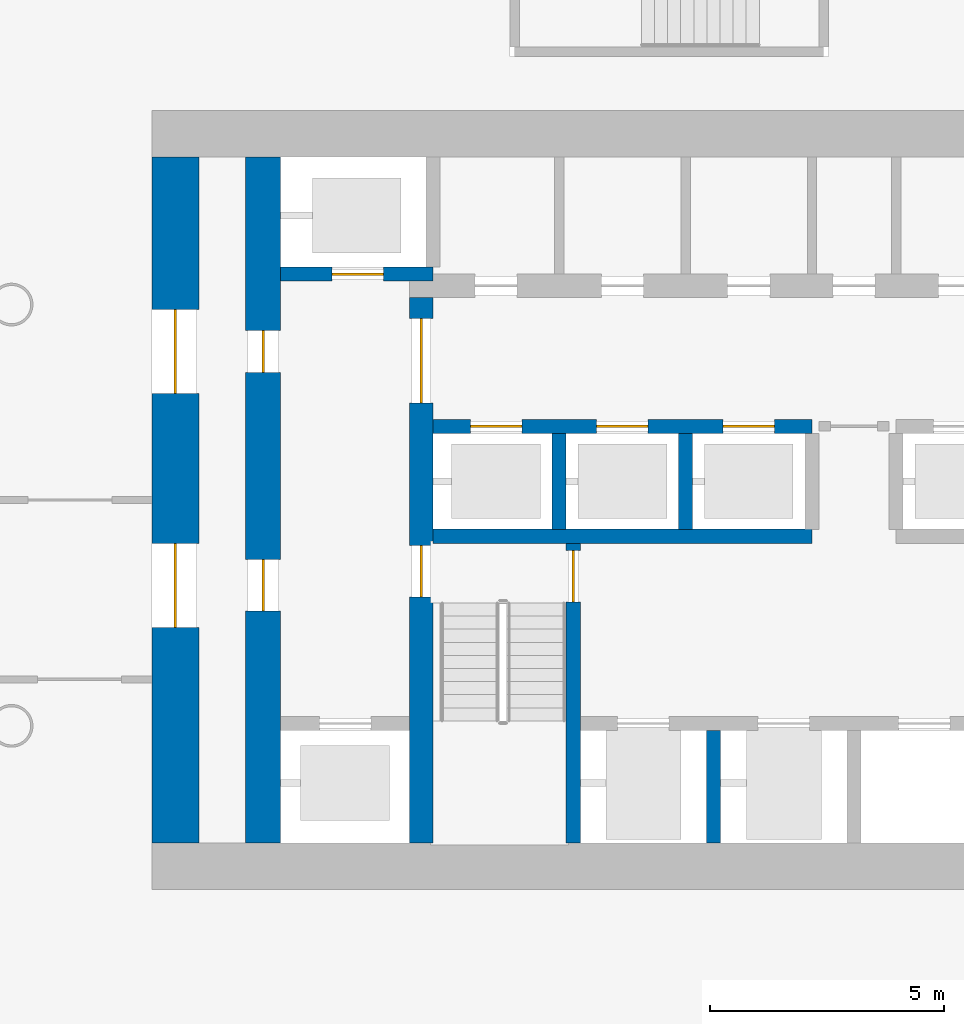
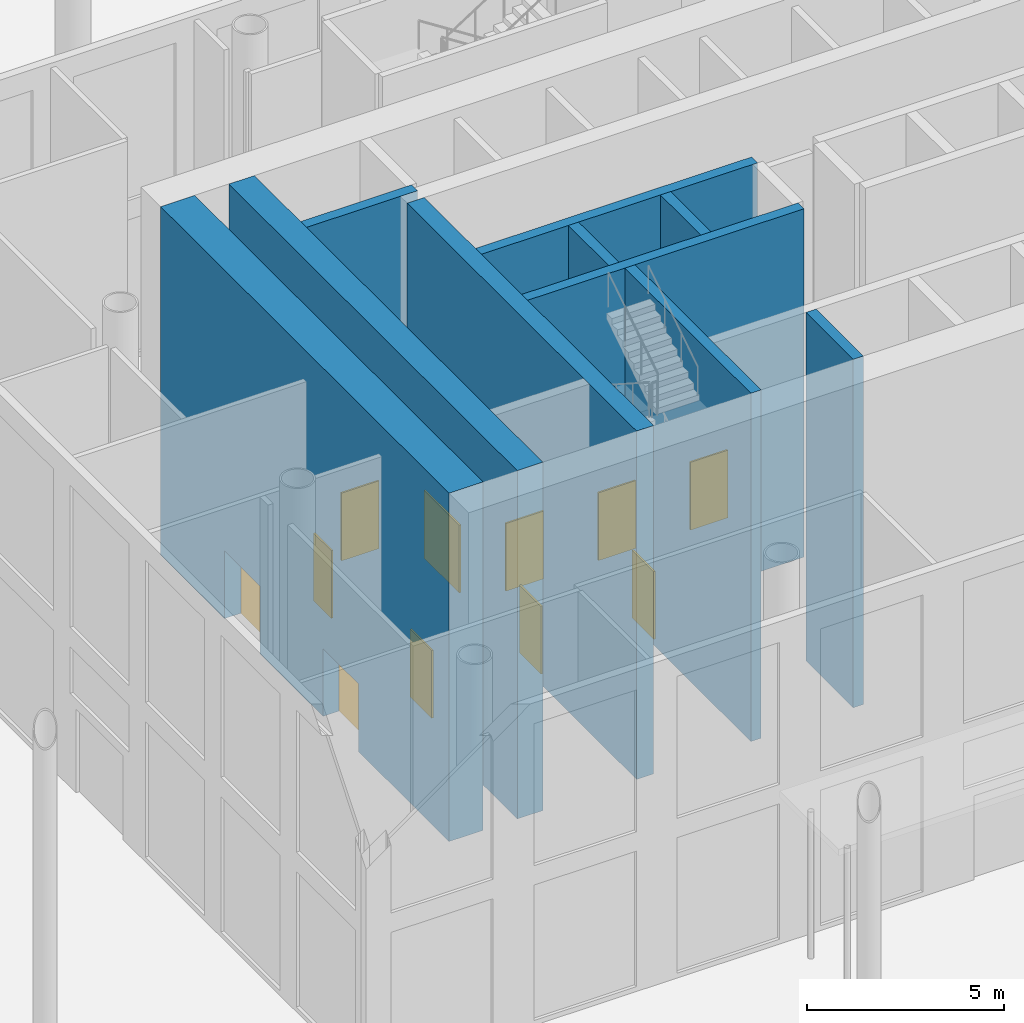
# One storey, part 9 of 18: 11 doors, 10 walls, 11 openings.
"""IFC4 building model written with IfcOpenShell, lengths in metres."""

from ifc_helpers import new_model, si_unit, direction, frame, frame_2d, origin, place, context, subcontext, project, spatial, rectangle, extrude, material, layer, layer_set, type_object, element, fill, save


model = new_model("IFC4")

# Units and contexts
model_context = context("Model", 3, precision=1e-05, world=origin(), true_north=direction((0.0, 1.0)))
body_context = subcontext(model_context, "Body", "Model", "MODEL_VIEW")
ifc_project = project(units=[si_unit("LENGTHUNIT", "METRE"), si_unit("AREAUNIT", "SQUARE_METRE"), si_unit("VOLUMEUNIT", "CUBIC_METRE"), si_unit("PLANEANGLEUNIT", "RADIAN"), si_unit("MASSUNIT", "GRAM", prefix="KILO")], contexts=[model_context])

# Site, building, storey
site_placement = place(None, origin())
site = spatial("IfcSite", under=ifc_project, at=site_placement, CompositionType="ELEMENT")
building_placement = place(site_placement, origin())
building = spatial("IfcBuilding", under=site, at=building_placement, Name="Tskaro Facet Tower", CompositionType="ELEMENT")
storey_placement = place(building_placement, origin())
storey = spatial("IfcBuildingStorey", under=building, at=storey_placement, Name="L00", CompositionType="ELEMENT", Elevation=0.0)

# Wall
ifc_material_1 = material(Name="Concrete C60/75", Category="concrete")
ifc_layer_1 = layer(ifc_material_1, 0.300048828125, Name="Concrete C60/75")
ifc_layer_set_1 = layer_set([ifc_layer_1], Name="Concrete C60/75")
wall_type_1 = type_object("IfcWallType", Name="CORE-SHAFT", PredefinedType="SHEAR", material=ifc_layer_set_1)
wall_1_placement = place(storey_placement, frame((-9.0, -4.949951171875, 0.0), z_axis=(0.0, 0.0, 1.0), x_axis=(1.0, 0.0, 0.0)))
element("IfcWall", 1, at=wall_1_placement, inside=storey, type_object=wall_type_1, Name="Shaft wall W011", PredefinedType="SHEAR", context=body_context, shape_type="SweptSolid", body=[
    extrude(rectangle(XDim=8.10009765625, YDim=0.300048828125, at=frame_2d((4.050048828125, 0.0))), origin(), (0.0, 0.0, 1.0), 10.800048828125),
])

# Wall, openings, doors
wall_2_placement = place(storey_placement, frame((-9.0, -2.60009765625, 0.0), z_axis=(0.0, 0.0, 1.0), x_axis=(1.0, 0.0, 0.0)))
wall_2 = element("IfcWall", 2, at=wall_2_placement, inside=storey, type_object=wall_type_1, Name="Shaft wall W015", PredefinedType="SHEAR", context=body_context, shape_type="SweptSolid", body=[
    extrude(rectangle(XDim=8.10009765625, YDim=0.300048828125, at=frame_2d((4.050048828125, 0.0))), origin(), (0.0, 0.0, 1.0), 10.800048828125),
])
opening_1_placement = place(wall_2_placement, frame((0.800048828125, 0.0, 0.0)))
opening_1 = element("IfcOpeningElement", 3, at=opening_1_placement, cuts=wall_2, Name="Opening LD-LR1", PredefinedType="OPENING", context=body_context, shape_type="SweptSolid", body=[
    extrude(rectangle(XDim=1.10009765625, YDim=2.10009765625, at=frame_2d((0.550048828125, 1.050048828125))), frame((0.0, 0.159912109375, 0.0), z_axis=(0.0, -1.0, 0.0), x_axis=(1.0, 0.0, 0.0)), (0.0, 0.0, 1.0), 0.320068359375),
])
opening_2_placement = place(wall_2_placement, frame((3.5, 0.0, 0.0)))
opening_2 = element("IfcOpeningElement", 4, at=opening_2_placement, cuts=wall_2, Name="Opening LD-LR2", PredefinedType="OPENING", context=body_context, shape_type="SweptSolid", body=[
    extrude(rectangle(XDim=1.10009765625, YDim=2.10009765625, at=frame_2d((0.550048828125, 1.050048828125))), frame((0.0, 0.159912109375, 0.0), z_axis=(0.0, -1.0, 0.0), x_axis=(1.0, 0.0, 0.0)), (0.0, 0.0, 1.0), 0.320068359375),
])
opening_3_placement = place(wall_2_placement, frame((6.199951171875, 0.0, 0.0)))
opening_3 = element("IfcOpeningElement", 5, at=opening_3_placement, cuts=wall_2, Name="Opening LD-LR3", PredefinedType="OPENING", context=body_context, shape_type="SweptSolid", body=[
    extrude(rectangle(XDim=1.10009765625, YDim=2.10009765625, at=frame_2d((0.550048828125, 1.050048828125))), frame((0.0, 0.159912109375, 0.0), z_axis=(0.0, -1.0, 0.0), x_axis=(1.0, 0.0, 0.0)), (0.0, 0.0, 1.0), 0.320068359375),
])
ifc_material_2 = material(Name="Stainless steel", Category="steel")
door_type_1 = type_object("IfcDoorType", Name="D-LANDING", OperationType="NOTDEFINED", PredefinedType="DOOR", material=ifc_material_2)
door_1_placement = place(opening_1_placement, origin())
door_1 = element("IfcDoor", 6, at=door_1_placement, inside=storey, type_object=door_type_1, Name="Landing door LR1", OperationType="DOUBLE_DOOR_SLIDING", OverallHeight=2.10009765625, OverallWidth=1.10009765625, PredefinedType="DOOR", context=body_context, shape_type="SweptSolid", body=[
    extrude(rectangle(XDim=1.10009765625, YDim=2.10009765625, at=frame_2d((0.550048828125, 1.050048828125))), frame((0.0, 0.02490234375, 0.0), z_axis=(0.0, -1.0, 0.0), x_axis=(1.0, 0.0, 0.0)), (0.0, 0.0, 1.0), 0.050048828125),
])
fill(opening_1, door_1)
door_2_placement = place(opening_2_placement, origin())
door_2 = element("IfcDoor", 7, at=door_2_placement, inside=storey, type_object=door_type_1, Name="Landing door LR2", OperationType="DOUBLE_DOOR_SLIDING", OverallHeight=2.10009765625, OverallWidth=1.10009765625, PredefinedType="DOOR", context=body_context, shape_type="SweptSolid", body=[
    extrude(rectangle(XDim=1.10009765625, YDim=2.10009765625, at=frame_2d((0.550048828125, 1.050048828125))), frame((0.0, 0.02490234375, 0.0), z_axis=(0.0, -1.0, 0.0), x_axis=(1.0, 0.0, 0.0)), (0.0, 0.0, 1.0), 0.050048828125),
])
fill(opening_2, door_2)
door_3_placement = place(opening_3_placement, origin())
door_3 = element("IfcDoor", 8, at=door_3_placement, inside=storey, type_object=door_type_1, Name="Landing door LR3", OperationType="DOUBLE_DOOR_SLIDING", OverallHeight=2.10009765625, OverallWidth=1.10009765625, PredefinedType="DOOR", context=body_context, shape_type="SweptSolid", body=[
    extrude(rectangle(XDim=1.10009765625, YDim=2.10009765625, at=frame_2d((0.550048828125, 1.050048828125))), frame((0.0, 0.02490234375, 0.0), z_axis=(0.0, -1.0, 0.0), x_axis=(1.0, 0.0, 0.0)), (0.0, 0.0, 1.0), 0.050048828125),
])
fill(opening_3, door_3)

# Wall, opening, door
wall_3_placement = place(storey_placement, frame((-9.0, 0.64990234375, 0.0), z_axis=(0.0, 0.0, 1.0), x_axis=(-1.0, 0.0, 0.0)))
wall_3 = element("IfcWall", 9, at=wall_3_placement, inside=storey, type_object=wall_type_1, Name="Shaft wall W019", PredefinedType="SHEAR", context=body_context, shape_type="SweptSolid", body=[
    extrude(rectangle(XDim=3.25, YDim=0.300048828125, at=frame_2d((1.625, 0.0))), origin(), (0.0, 0.0, 1.0), 10.800048828125),
])
opening_4_placement = place(wall_3_placement, frame((1.050048828125, 0.0, 0.0)))
opening_4 = element("IfcOpeningElement", 10, at=opening_4_placement, cuts=wall_3, Name="Opening LD-SHWN", PredefinedType="OPENING", context=body_context, shape_type="SweptSolid", body=[
    extrude(rectangle(XDim=1.10009765625, YDim=2.10009765625, at=frame_2d((0.550048828125, 1.050048828125))), frame((0.0, 0.159912109375, 0.0), z_axis=(0.0, -1.0, 0.0), x_axis=(1.0, 0.0, 0.0)), (0.0, 0.0, 1.0), 0.320068359375),
])
door_4_placement = place(opening_4_placement, origin())
door_4 = element("IfcDoor", 11, at=door_4_placement, inside=storey, type_object=door_type_1, Name="Landing door shuttle W2", OperationType="DOUBLE_DOOR_SLIDING", OverallHeight=2.10009765625, OverallWidth=1.10009765625, PredefinedType="DOOR", context=body_context, shape_type="SweptSolid", body=[
    extrude(rectangle(XDim=1.10009765625, YDim=2.10009765625, at=frame_2d((0.550048828125, 1.050048828125))), frame((0.0, 0.02490234375, 0.0), z_axis=(0.0, -1.0, 0.0), x_axis=(1.0, 0.0, 0.0)), (0.0, 0.0, 1.0), 0.050048828125),
])
fill(opening_4, door_4)

# Wall
wall_4_placement = place(storey_placement, frame((-6.300048828125, -4.800048828125, 0.0), z_axis=(0.0, 0.0, 1.0), x_axis=(0.0, 1.0, 0.0)))
element("IfcWall", 12, at=wall_4_placement, inside=storey, type_object=wall_type_1, Name="Shaft wall W039", PredefinedType="SHEAR", context=body_context, shape_type="SweptSolid", body=[
    extrude(rectangle(XDim=2.050048828125, YDim=0.300048828125, at=frame_2d((1.02490234375, 0.0))), origin(), (0.0, 0.0, 1.0), 10.800048828125),
])

# Wall, opening, door
wall_5_placement = place(storey_placement, frame((-6.0, -11.5, 0.0), z_axis=(0.0, 0.0, 1.0), x_axis=(0.0, 1.0, 0.0)))
wall_5 = element("IfcWall", 13, at=wall_5_placement, inside=storey, type_object=wall_type_1, Name="Shaft wall W041", PredefinedType="SHEAR", context=body_context, shape_type="SweptSolid", body=[
    extrude(rectangle(XDim=6.39990234375, YDim=0.300048828125, at=frame_2d((3.199951171875, 0.0))), origin(), (0.0, 0.0, 1.0), 10.800048828125),
])
opening_5_placement = place(wall_5_placement, frame((5.14990234375, 0.0, 0.0)))
opening_5 = element("IfcOpeningElement", 14, at=opening_5_placement, cuts=wall_5, Name="Opening ST-1-D1", PredefinedType="OPENING", context=body_context, shape_type="SweptSolid", body=[
    extrude(rectangle(XDim=1.10009765625, YDim=2.10009765625, at=frame_2d((0.550048828125, 1.050048828125))), frame((0.0, 0.159912109375, 0.0), z_axis=(0.0, -1.0, 0.0), x_axis=(1.0, 0.0, 0.0)), (0.0, 0.0, 1.0), 0.320068359375),
])
ifc_material_3 = material(Name="Steel", Category="steel")
door_type_2 = type_object("IfcDoorType", Name="D-STAIR", OperationType="NOTDEFINED", PredefinedType="DOOR", material=ifc_material_3)
door_5_placement = place(opening_5_placement, origin())
door_5 = element("IfcDoor", 15, at=door_5_placement, inside=storey, type_object=door_type_2, Name="Stair door 1", OperationType="SINGLE_SWING_LEFT", OverallHeight=2.10009765625, OverallWidth=1.10009765625, PredefinedType="DOOR", context=body_context, shape_type="SweptSolid", body=[
    extrude(rectangle(XDim=1.10009765625, YDim=2.10009765625, at=frame_2d((0.550048828125, 1.050048828125))), frame((0.0, 0.02490234375, 0.0), z_axis=(0.0, -1.0, 0.0), x_axis=(1.0, 0.0, 0.0)), (0.0, 0.0, 1.0), 0.050048828125),
])
fill(opening_5, door_5)

# Walls
wall_6_placement = place(storey_placement, frame((-3.60009765625, -4.800048828125, 0.0), z_axis=(0.0, 0.0, 1.0), x_axis=(0.0, 1.0, 0.0)))
element("IfcWall", 16, at=wall_6_placement, inside=storey, type_object=wall_type_1, Name="Shaft wall W043", PredefinedType="SHEAR", context=body_context, shape_type="SweptSolid", body=[
    extrude(rectangle(XDim=2.050048828125, YDim=0.300048828125, at=frame_2d((1.02490234375, 0.0))), origin(), (0.0, 0.0, 1.0), 10.800048828125),
])
wall_7_placement = place(storey_placement, frame((-3.0, -11.5, 0.0), z_axis=(0.0, 0.0, 1.0), x_axis=(0.0, 1.0, 0.0)))
element("IfcWall", 17, at=wall_7_placement, inside=storey, type_object=wall_type_1, Name="Shaft wall W045", PredefinedType="SHEAR", context=body_context, shape_type="SweptSolid", body=[
    extrude(rectangle(XDim=2.39990234375, YDim=0.300048828125, at=frame_2d((1.199951171875, 0.0))), origin(), (0.0, 0.0, 1.0), 10.800048828125),
])

# Wall, openings, doors
ifc_layer_2 = layer(ifc_material_1, 1.0, Name="Concrete C60/75")
ifc_layer_set_2 = layer_set([ifc_layer_2], Name="Concrete C60/75")
wall_type_2 = type_object("IfcWallType", Name="Core wall 1000", PredefinedType="SHEAR", material=ifc_layer_set_2)
wall_8_placement = place(storey_placement, frame((-14.5, -11.5, 0.0), z_axis=(0.0, 0.0, 1.0), x_axis=(0.0, 1.0, 0.0)))
wall_8 = element("IfcWall", 18, at=wall_8_placement, inside=storey, type_object=wall_type_2, Name="Core wall CW-Z1W", PredefinedType="SHEAR", context=body_context, shape_type="SweptSolid", body=[
    extrude(rectangle(XDim=14.64990234375, YDim=1.0, at=frame_2d((7.324951171875, 0.0))), origin(), (0.0, 0.0, 1.0), 10.800048828125),
])
opening_6_placement = place(wall_8_placement, frame((9.60009765625, 0.0, 0.0)))
opening_6 = element("IfcOpeningElement", 19, at=opening_6_placement, cuts=wall_8, Name="Opening G-D10", PredefinedType="OPENING", context=body_context, shape_type="SweptSolid", body=[
    extrude(rectangle(XDim=1.800048828125, YDim=2.10009765625, at=frame_2d((0.89990234375, 1.050048828125))), frame((0.0, 0.510009765625, 0.0), z_axis=(0.0, -1.0, 0.0), x_axis=(1.0, 0.0, 0.0)), (0.0, 0.0, 1.0), 1.02001953125),
])
opening_7_placement = place(wall_8_placement, frame((4.60009765625, 0.0, 0.0)))
opening_7 = element("IfcOpeningElement", 20, at=opening_7_placement, cuts=wall_8, Name="Opening XP-W", PredefinedType="OPENING", context=body_context, shape_type="SweptSolid", body=[
    extrude(rectangle(XDim=1.800048828125, YDim=2.10009765625, at=frame_2d((0.89990234375, 1.050048828125))), frame((0.0, 0.510009765625, 0.0), z_axis=(0.0, -1.0, 0.0), x_axis=(1.0, 0.0, 0.0)), (0.0, 0.0, 1.0), 1.02001953125),
])
door_type_3 = type_object("IfcDoorType", Name="D-CORE-PAIR", OperationType="NOTDEFINED", PredefinedType="DOOR", material=ifc_material_3)
door_6_placement = place(opening_6_placement, origin())
door_6 = element("IfcDoor", 21, at=door_6_placement, inside=storey, type_object=door_type_3, Name="Door G-D10", OperationType="DOUBLE_DOOR_SINGLE_SWING", OverallHeight=2.10009765625, OverallWidth=1.800048828125, PredefinedType="DOOR", context=body_context, shape_type="SweptSolid", body=[
    extrude(rectangle(XDim=1.800048828125, YDim=2.10009765625, at=frame_2d((0.89990234375, 1.050048828125))), frame((0.0, 0.02490234375, 0.0), z_axis=(0.0, -1.0, 0.0), x_axis=(1.0, 0.0, 0.0)), (0.0, 0.0, 1.0), 0.050048828125),
])
fill(opening_6, door_6)
door_7_placement = place(opening_7_placement, origin())
door_7 = element("IfcDoor", 22, at=door_7_placement, inside=storey, type_object=door_type_3, Name="Exit passage door west", OperationType="DOUBLE_DOOR_SINGLE_SWING", OverallHeight=2.10009765625, OverallWidth=1.800048828125, PredefinedType="DOOR", context=body_context, shape_type="SweptSolid", body=[
    extrude(rectangle(XDim=1.800048828125, YDim=2.10009765625, at=frame_2d((0.89990234375, 1.050048828125))), frame((0.0, 0.02490234375, 0.0), z_axis=(0.0, -1.0, 0.0), x_axis=(1.0, 0.0, 0.0)), (0.0, 0.0, 1.0), 0.050048828125),
])
fill(opening_7, door_7)

ifc_material_4 = material(Name="Concrete C40/50", Category="concrete")
ifc_layer_3 = layer(ifc_material_4, 0.5, Name="Concrete C40/50")
ifc_layer_set_3 = layer_set([ifc_layer_3], Name="Concrete C40/50")
wall_type_3 = type_object("IfcWallType", Name="Core wall 500", PredefinedType="SHEAR", material=ifc_layer_set_3)
wall_9_placement = place(storey_placement, frame((-9.25, -11.5, 0.0), z_axis=(0.0, 0.0, 1.0), x_axis=(0.0, 1.0, 0.0)))
wall_9 = element("IfcWall", 23, at=wall_9_placement, inside=storey, type_object=wall_type_3, Name="Core wall CW-Z3W", PredefinedType="SHEAR", context=body_context, shape_type="SweptSolid", body=[
    extrude(rectangle(XDim=11.64990234375, YDim=0.5, at=frame_2d((5.824951171875, 0.0))), origin(), (0.0, 0.0, 1.0), 10.800048828125),
])
opening_8_placement = place(wall_9_placement, frame((9.39990234375, 0.0, 0.0)))
opening_8 = element("IfcOpeningElement", 24, at=opening_8_placement, cuts=wall_9, Name="Opening G-D08", PredefinedType="OPENING", context=body_context, shape_type="SweptSolid", body=[
    extrude(rectangle(XDim=1.800048828125, YDim=2.10009765625, at=frame_2d((0.89990234375, 1.050048828125))), frame((0.0, 0.260009765625, 0.0), z_axis=(0.0, -1.0, 0.0), x_axis=(1.0, 0.0, 0.0)), (0.0, 0.0, 1.0), 0.52001953125),
])
opening_9_placement = place(wall_9_placement, frame((5.25, 0.0, 0.0)))
opening_9 = element("IfcOpeningElement", 25, at=opening_9_placement, cuts=wall_9, Name="Opening ST-1-D2", PredefinedType="OPENING", context=body_context, shape_type="SweptSolid", body=[
    extrude(rectangle(XDim=1.10009765625, YDim=2.10009765625, at=frame_2d((0.550048828125, 1.050048828125))), frame((0.0, 0.260009765625, 0.0), z_axis=(0.0, -1.0, 0.0), x_axis=(1.0, 0.0, 0.0)), (0.0, 0.0, 1.0), 0.52001953125),
])
door_8_placement = place(opening_8_placement, origin())
door_8 = element("IfcDoor", 26, at=door_8_placement, inside=storey, type_object=door_type_3, Name="Door G-D08", OperationType="DOUBLE_DOOR_SINGLE_SWING", OverallHeight=2.10009765625, OverallWidth=1.800048828125, PredefinedType="DOOR", context=body_context, shape_type="SweptSolid", body=[
    extrude(rectangle(XDim=1.800048828125, YDim=2.10009765625, at=frame_2d((0.89990234375, 1.050048828125))), frame((0.0, 0.02490234375, 0.0), z_axis=(0.0, -1.0, 0.0), x_axis=(1.0, 0.0, 0.0)), (0.0, 0.0, 1.0), 0.050048828125),
])
fill(opening_8, door_8)
door_9_placement = place(opening_9_placement, origin())
door_9 = element("IfcDoor", 27, at=door_9_placement, inside=storey, type_object=door_type_2, Name="Stair door 1 west", OperationType="SINGLE_SWING_LEFT", OverallHeight=2.10009765625, OverallWidth=1.10009765625, PredefinedType="DOOR", context=body_context, shape_type="SweptSolid", body=[
    extrude(rectangle(XDim=1.10009765625, YDim=2.10009765625, at=frame_2d((0.550048828125, 1.050048828125))), frame((0.0, 0.02490234375, 0.0), z_axis=(0.0, -1.0, 0.0), x_axis=(1.0, 0.0, 0.0)), (0.0, 0.0, 1.0), 0.050048828125),
])
fill(opening_9, door_9)

ifc_material_5 = material(Name="Concrete C50/60", Category="concrete")
ifc_layer_4 = layer(ifc_material_5, 0.75, Name="Concrete C50/60")
ifc_layer_set_4 = layer_set([ifc_layer_4], Name="Concrete C50/60")
wall_type_4 = type_object("IfcWallType", Name="Core wall 750", PredefinedType="SHEAR", material=ifc_layer_set_4)
wall_10_placement = place(storey_placement, frame((-12.625, -11.5, 0.0), z_axis=(0.0, 0.0, 1.0), x_axis=(0.0, 1.0, 0.0)))
wall_10 = element("IfcWall", 28, at=wall_10_placement, inside=storey, type_object=wall_type_4, Name="Core wall CW-Z2W", PredefinedType="SHEAR", context=body_context, shape_type="SweptSolid", body=[
    extrude(rectangle(XDim=14.64990234375, YDim=0.75, at=frame_2d((7.324951171875, 0.0))), origin(), (0.0, 0.0, 1.0), 10.800048828125),
])
opening_10_placement = place(wall_10_placement, frame((4.949951171875, 0.0, 0.0)))
opening_10 = element("IfcOpeningElement", 29, at=opening_10_placement, cuts=wall_10, Name="Opening XL-W", PredefinedType="OPENING", context=body_context, shape_type="SweptSolid", body=[
    extrude(rectangle(XDim=1.10009765625, YDim=2.10009765625, at=frame_2d((0.550048828125, 1.050048828125))), frame((0.0, 0.385009765625, 0.0), z_axis=(0.0, -1.0, 0.0), x_axis=(1.0, 0.0, 0.0)), (0.0, 0.0, 1.0), 0.77001953125),
])
opening_11_placement = place(wall_10_placement, frame((10.050048828125, 0.0, 0.0)))
opening_11 = element("IfcOpeningElement", 30, at=opening_11_placement, cuts=wall_10, Name="Opening G-D11", PredefinedType="OPENING", context=body_context, shape_type="SweptSolid", body=[
    extrude(rectangle(XDim=0.89990234375, YDim=2.10009765625, at=frame_2d((0.449951171875, 1.050048828125))), frame((0.0, 0.385009765625, 0.0), z_axis=(0.0, -1.0, 0.0), x_axis=(1.0, 0.0, 0.0)), (0.0, 0.0, 1.0), 0.77001953125),
])
ifc_material_6 = material(Name="Timber", Category="wood")
door_type_4 = type_object("IfcDoorType", Name="D-ROOM", OperationType="NOTDEFINED", PredefinedType="DOOR", material=ifc_material_6)
door_10_placement = place(opening_11_placement, origin())
door_10 = element("IfcDoor", 31, at=door_10_placement, inside=storey, type_object=door_type_4, Name="Door G-D11", OperationType="SINGLE_SWING_LEFT", OverallHeight=2.10009765625, OverallWidth=0.89990234375, PredefinedType="DOOR", context=body_context, shape_type="SweptSolid", body=[
    extrude(rectangle(XDim=0.89990234375, YDim=2.10009765625, at=frame_2d((0.449951171875, 1.050048828125))), frame((0.0, 0.02490234375, 0.0), z_axis=(0.0, -1.0, 0.0), x_axis=(1.0, 0.0, 0.0)), (0.0, 0.0, 1.0), 0.050048828125),
])
fill(opening_11, door_10)
door_11_placement = place(opening_10_placement, origin())
door_11 = element("IfcDoor", 32, at=door_11_placement, inside=storey, type_object=door_type_2, Name="Exit lobby door west", OperationType="SINGLE_SWING_LEFT", OverallHeight=2.10009765625, OverallWidth=1.10009765625, PredefinedType="DOOR", context=body_context, shape_type="SweptSolid", body=[
    extrude(rectangle(XDim=1.10009765625, YDim=2.10009765625, at=frame_2d((0.550048828125, 1.050048828125))), frame((0.0, 0.02490234375, 0.0), z_axis=(0.0, -1.0, 0.0), x_axis=(1.0, 0.0, 0.0)), (0.0, 0.0, 1.0), 0.050048828125),
])
fill(opening_10, door_11)

save(model, "model.ifc")
